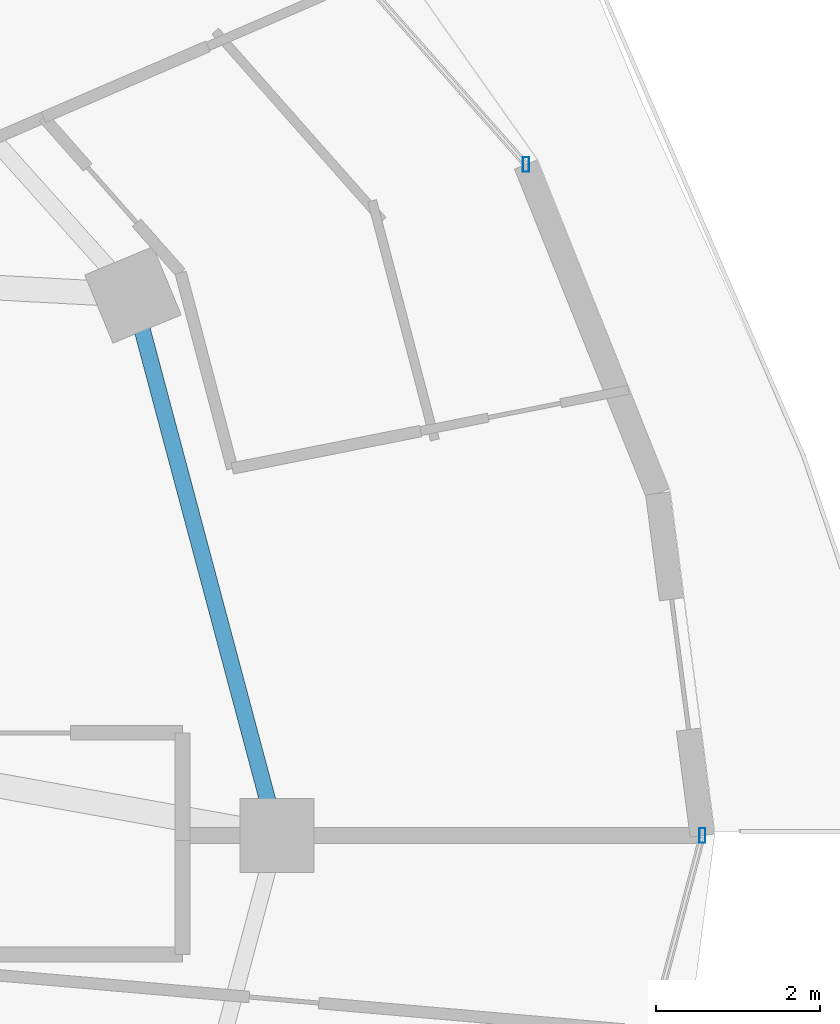
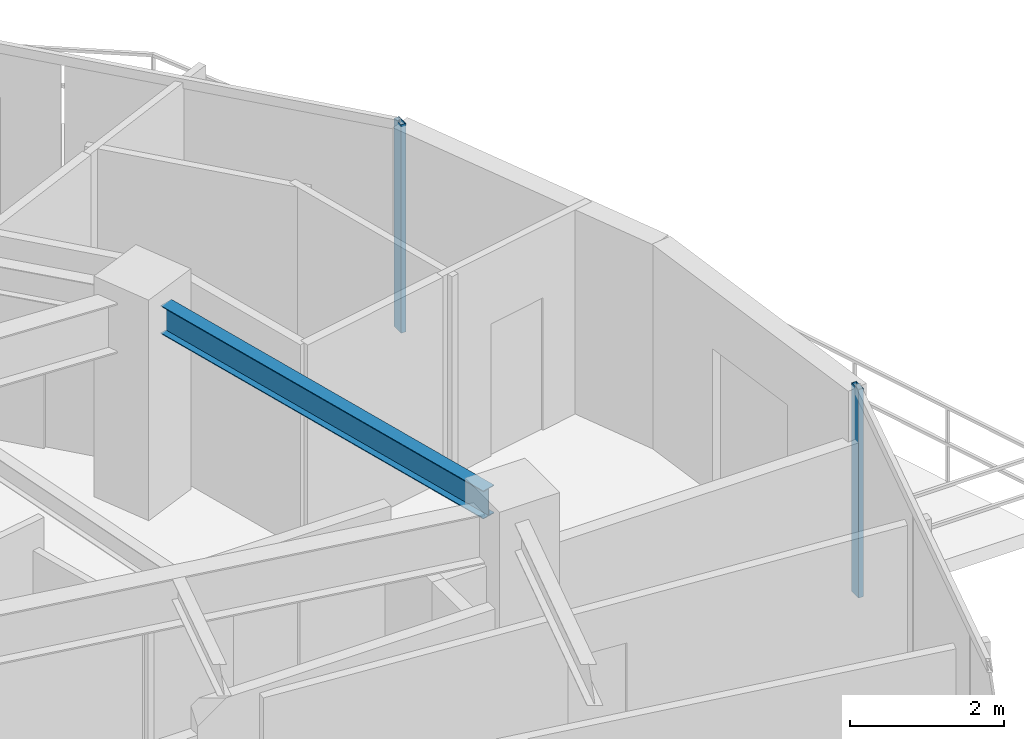
# One storey, part 15 of 33: 2 members, 1 beam, 2 elements without a shape of their own.
"""IFC4 building model written with IfcOpenShell, lengths in metres."""

from ifc_helpers import new_model, si_unit, direction, frame, origin, origin_2d, place, context, subcontext, project, spatial, hollow_rectangle, i_section, extrude, material, material_profile, profile_set, type_object, element, aggregate, save


model = new_model("IFC4")

# Units and contexts
model_context = context("Model", 3, precision=1e-05, world=origin(), true_north=direction((0.0, 1.0)))
body_context = subcontext(model_context, "Body", "Model", "MODEL_VIEW")
ifc_project = project(units=[si_unit("LENGTHUNIT", "METRE"), si_unit("AREAUNIT", "SQUARE_METRE"), si_unit("VOLUMEUNIT", "CUBIC_METRE"), si_unit("PLANEANGLEUNIT", "RADIAN"), si_unit("MASSUNIT", "GRAM", prefix="KILO")], contexts=[model_context])

# Site, building, storey
site_placement = place(None, origin())
site = spatial("IfcSite", under=ifc_project, at=site_placement, CompositionType="ELEMENT")
building_placement = place(site_placement, origin())
building = spatial("IfcBuilding", under=site, at=building_placement, Name="Vorneva Point Tower", CompositionType="ELEMENT")
storey_placement = place(building_placement, frame((0.0, 0.0, 179.10009765625)))
storey = spatial("IfcBuildingStorey", under=building, at=storey_placement, Name="L48", CompositionType="ELEMENT", Elevation=179.10009765625)

# Beam
ifc_material_1 = material(Name="Steel S355", Category="steel")
ifc_material_profile_1 = material_profile(ifc_material_1, i_section(OverallWidth=0.198974609375, OverallDepth=0.446044921875, WebThickness=0.008056640625, FlangeThickness=0.011962890625, at=origin_2d()), Name="45B1")
ifc_profile_set_1 = profile_set([ifc_material_profile_1], Name="Steel S355")
beam_type = type_object("IfcBeamType", Name="BM-SPN-45B1", PredefinedType="SPANDREL", material=ifc_profile_set_1)
beam_placement = place(storey_placement, frame((60.93798828125, 26.42041015625, 3.016845703125), z_axis=(-0.257578258003, 0.966257440336, 0.0), x_axis=(-0.966257440336, -0.257578258003, 0.0)))
element("IfcBeam", 1, at=beam_placement, inside=storey, type_object=beam_type, Name="L48 Perimeter Spandrel Ring Beam 01", PredefinedType="SPANDREL", context=body_context, shape_type="SweptSolid", body=[
    extrude(i_section(OverallWidth=0.198974609375, OverallDepth=0.446044921875, WebThickness=0.008056640625, FlangeThickness=0.011962890625, at=origin_2d()), origin(), (0.0, 0.0, 1.0), 5.94189453125),
])

# Curtain wall, member
ifc_material_2 = material(Name="Pale anodised aluminium", Category="aluminium")
curtain_wall_type = type_object("IfcCurtainWallType", Name="CW-RES-SYS", PredefinedType="NOTDEFINED", material=ifc_material_2)
curtain_wall_1_placement = place(storey_placement, origin())
curtain_wall_1 = element("IfcCurtainWall", 2, at=curtain_wall_1_placement, inside=storey, type_object=curtain_wall_type, Name="L48 Unitised Curtain Wall CW-L48-R01", PredefinedType="NOTDEFINED")
ifc_material_profile_2 = material_profile(ifc_material_2, hollow_rectangle(XDim=0.074951171875, YDim=0.179931640625, WallThickness=0.00390625, at=origin_2d()), Name="AL-MUL 180x75x4")
ifc_profile_set_2 = profile_set([ifc_material_profile_2], Name="Pale anodised aluminium")
member_type = type_object("IfcMemberType", Name="CW-MUL-180", PredefinedType="MULLION", material=ifc_profile_set_2)
member_1_placement = place(storey_placement, frame((64.0810546875, 34.17041015625, -0.0400390625), z_axis=(0.0, 0.0, 1.0), x_axis=(1.0, 0.0, 0.0)))
member_1 = element("IfcMember", 3, at=member_1_placement, type_object=member_type, Name="CW-L48-R01 Mullion 01", PredefinedType="MULLION", context=body_context, shape_type="SweptSolid", body=[
    extrude(hollow_rectangle(XDim=0.074951171875, YDim=0.179931640625, WallThickness=0.00390625, at=origin_2d()), origin(), (0.0, 0.0, 1.0), 3.31005859375),
])
aggregate(curtain_wall_1, [member_1])

curtain_wall_2_placement = place(storey_placement, origin())
curtain_wall_2 = element("IfcCurtainWall", 4, at=curtain_wall_2_placement, inside=storey, type_object=curtain_wall_type, Name="L48 Unitised Curtain Wall CW-L48-R04", PredefinedType="NOTDEFINED")
member_2_placement = place(storey_placement, frame((66.22998046875, 26.0, -0.0400390625), z_axis=(0.0, 0.0, 1.0), x_axis=(1.0, 0.0, 0.0)))
member_2 = element("IfcMember", 5, at=member_2_placement, type_object=member_type, Name="CW-L48-R04 Mullion 03", PredefinedType="MULLION", context=body_context, shape_type="SweptSolid", body=[
    extrude(hollow_rectangle(XDim=0.074951171875, YDim=0.179931640625, WallThickness=0.00390625, at=origin_2d()), origin(), (0.0, 0.0, 1.0), 3.31005859375),
])
aggregate(curtain_wall_2, [member_2])

save(model, "model.ifc")
